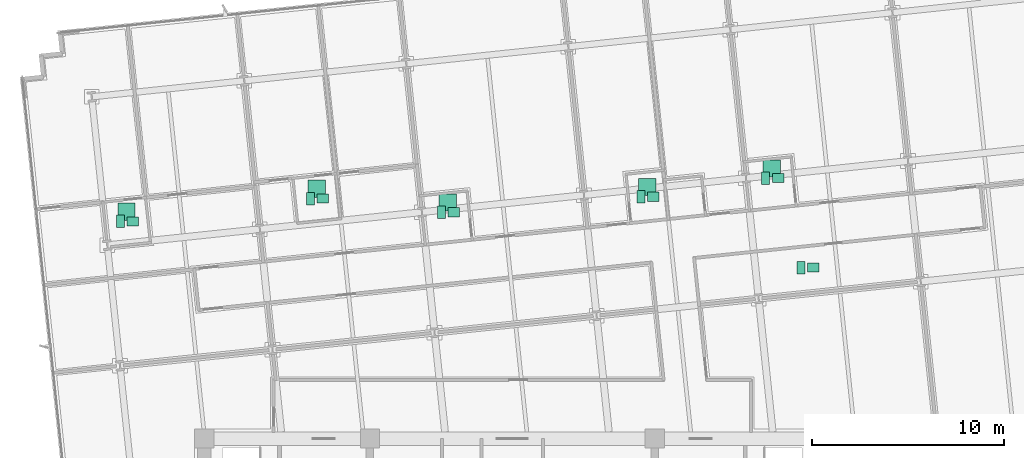
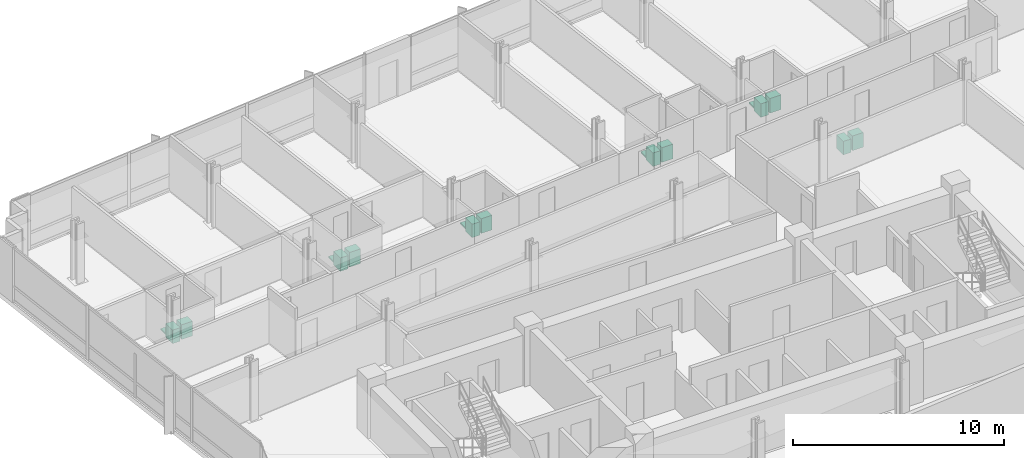
# One storey, part 17 of 17: 17 sanitary terminals.
"""IFC4 building model written with IfcOpenShell, lengths in metres."""

from ifc_helpers import new_model, si_unit, direction, frame, origin, origin_2d, place, context, subcontext, project, spatial, rectangle, extrude, material, type_object, element, save


model = new_model("IFC4")

# Units and contexts
model_context = context("Model", 3, precision=1e-05, world=origin(), true_north=direction((0.0, 1.0)))
body_context = subcontext(model_context, "Body", "Model", "MODEL_VIEW")
ifc_project = project(units=[si_unit("LENGTHUNIT", "METRE"), si_unit("AREAUNIT", "SQUARE_METRE"), si_unit("VOLUMEUNIT", "CUBIC_METRE"), si_unit("PLANEANGLEUNIT", "RADIAN"), si_unit("MASSUNIT", "GRAM", prefix="KILO")], contexts=[model_context])

# Site, building, storey
site_placement = place(None, origin())
site = spatial("IfcSite", under=ifc_project, at=site_placement, CompositionType="ELEMENT")
building_placement = place(site_placement, origin())
building = spatial("IfcBuilding", under=site, at=building_placement, Name="Solmavex Isthmus Hotel", CompositionType="ELEMENT")
storey_placement = place(building_placement, frame((0.0, 0.0, 116.699951171875)))
storey = spatial("IfcBuildingStorey", under=building, at=storey_placement, Name="L31", CompositionType="ELEMENT", Elevation=116.699951171875)

# Sanitary terminals
ifc_material = material(Name="Vitreous china ceramic", Category="ceramic")
sanitary_terminal_type_1 = type_object("IfcSanitaryTerminalType", Name="SAN-BASIN", PredefinedType="WASHHANDBASIN", material=ifc_material)
for number, where, z_axis, x_axis, name in (
    (1, (-19.72607421875, 8.784423828125, 0.0), (0.0, 0.0, 1.0), (1.0, 0.0, 0.0), "Vanity Washbasin L31-141"),
    (2, (-9.83935546875, 9.97509765625, 0.0), (0.0, 0.0, 1.0), (1.0, 0.0, 0.0), "Vanity Washbasin L31-142"),
    (3, (-3.033447265625, 9.26708984375, 0.0), (0.0, 0.0, 1.0), (1.0, 0.0, 0.0), "Vanity Washbasin L31-143"),
    (4, (7.327880859375, 10.072021484375, 0.0), (0.0, 0.0, 1.0), (1.0, 0.0, 0.0), "Vanity Washbasin L31-144"),
    (5, (13.805908203125, 11.036865234375, 0.0), (0.0, 0.0, 1.0), (1.0, 0.0, 0.0), "Vanity Washbasin L31-145"),
    (6, (15.6416015625, 6.38818359375, 0.0), (0.0, 0.0, 1.0), (1.0, 0.0, 0.0), "Vanity Washbasin L31-146"),
):
    element("IfcSanitaryTerminal", number, at=place(storey_placement, frame(where, z_axis=z_axis, x_axis=x_axis)), inside=storey, type_object=sanitary_terminal_type_1, Name=name, PredefinedType="WASHHANDBASIN", context=body_context, shape_type="SweptSolid", body=[
        extrude(rectangle(XDim=0.60009765625, YDim=0.47998046875, at=origin_2d()), origin(), (0.0, 0.0, 1.0), 0.85009765625),
    ])
sanitary_terminal_type_2 = type_object("IfcSanitaryTerminalType", Name="SAN-SHOWER", PredefinedType="SHOWER", material=ifc_material)
for number, where, z_axis, x_axis, name in (
    (7, (-20.046142578125, 9.284423828125, 0.0), (0.0, 0.0, 1.0), (1.0, 0.0, 0.0), "Walk-In Shower L31-141"),
    (8, (-10.159423828125, 10.47509765625, 0.0), (0.0, 0.0, 1.0), (1.0, 0.0, 0.0), "Walk-In Shower L31-142"),
    (9, (-3.353515625, 9.76708984375, 0.0), (0.0, 0.0, 1.0), (1.0, 0.0, 0.0), "Walk-In Shower L31-143"),
    (10, (7.0078125, 10.572021484375, 0.0), (0.0, 0.0, 1.0), (1.0, 0.0, 0.0), "Walk-In Shower L31-144"),
    (11, (13.48583984375, 11.536865234375, 0.0), (0.0, 0.0, 1.0), (1.0, 0.0, 0.0), "Walk-In Shower L31-145"),
):
    element("IfcSanitaryTerminal", number, at=place(storey_placement, frame(where, z_axis=z_axis, x_axis=x_axis)), inside=storey, type_object=sanitary_terminal_type_2, Name=name, PredefinedType="SHOWER", context=body_context, shape_type="SweptSolid", body=[
        extrude(rectangle(XDim=0.89990234375, YDim=0.89990234375, at=origin_2d()), origin(), (0.0, 0.0, 1.0), 0.080078125),
    ])
sanitary_terminal_type_3 = type_object("IfcSanitaryTerminalType", Name="SAN-WC-SUITE", PredefinedType="TOILETPAN", material=ifc_material)
for number, where, z_axis, x_axis, name in (
    (12, (-20.3662109375, 8.784423828125, 0.0), (0.0, 0.0, 1.0), (1.0, 0.0, 0.0), "Water Closet L31-141"),
    (13, (-10.4794921875, 9.97509765625, 0.0), (0.0, 0.0, 1.0), (1.0, 0.0, 0.0), "Water Closet L31-142"),
    (14, (-3.67333984375, 9.26708984375, 0.0), (0.0, 0.0, 1.0), (1.0, 0.0, 0.0), "Water Closet L31-143"),
    (15, (6.68798828125, 10.072021484375, 0.0), (0.0, 0.0, 1.0), (1.0, 0.0, 0.0), "Water Closet L31-144"),
    (16, (13.165771484375, 11.036865234375, 0.0), (0.0, 0.0, 1.0), (1.0, 0.0, 0.0), "Water Closet L31-145"),
    (17, (15.001708984375, 6.38818359375, 0.0), (0.0, 0.0, 1.0), (1.0, 0.0, 0.0), "Water Closet L31-146"),
):
    element("IfcSanitaryTerminal", number, at=place(storey_placement, frame(where, z_axis=z_axis, x_axis=x_axis)), inside=storey, type_object=sanitary_terminal_type_3, Name=name, PredefinedType="TOILETPAN", context=body_context, shape_type="SweptSolid", body=[
        extrude(rectangle(XDim=0.419921875, YDim=0.64990234375, at=origin_2d()), origin(), (0.0, 0.0, 1.0), 0.780029296875),
    ])

save(model, "model.ifc")
